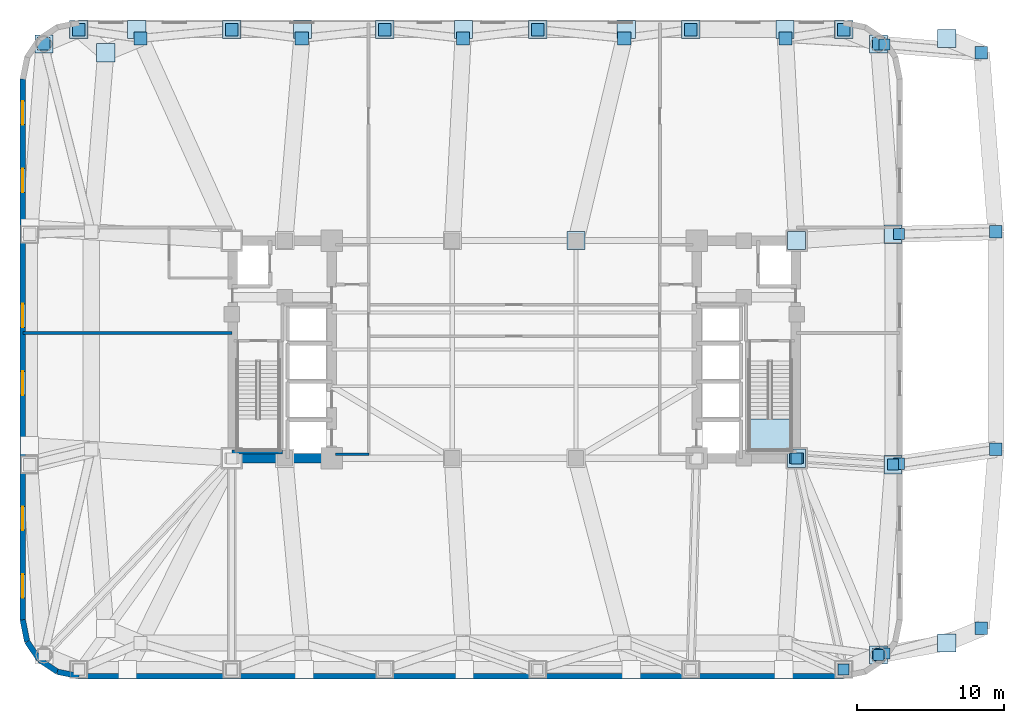
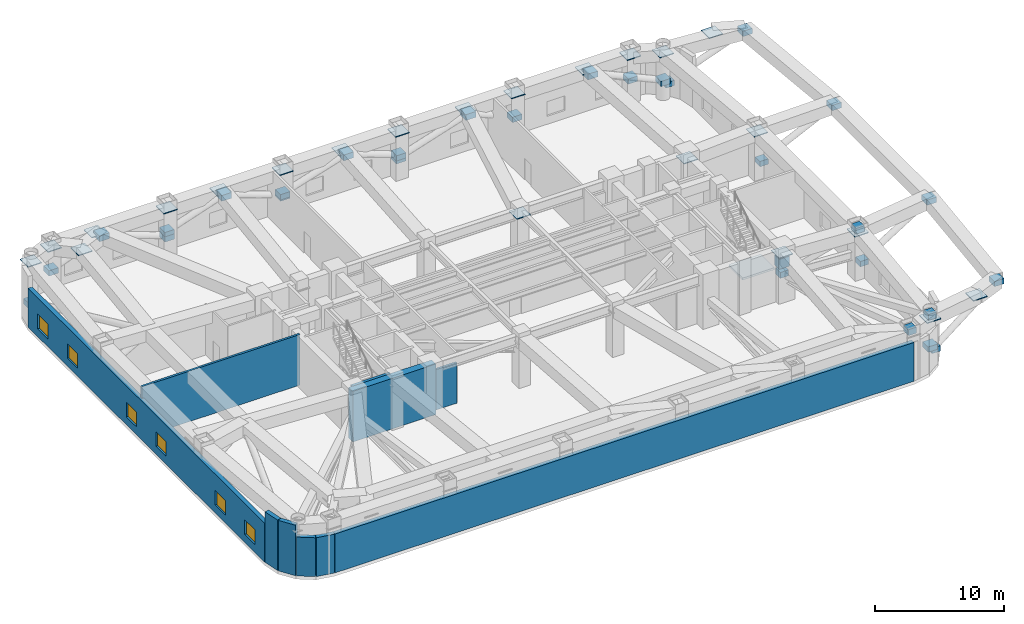
# One storey, part 4 of 9: 52 plates, 10 walls, 6 windows, 1 slab, 6 openings, 1 element without a shape of its own.
"""IFC4 building model written with IfcOpenShell, lengths in metres."""

from ifc_helpers import new_model, si_unit, direction, frame, frame_2d, origin, origin_2d, place, context, subcontext, project, spatial, polyline, rectangle, outline, extrude, material, layer, layer_set, type_object, element, fill, aggregate, save


model = new_model("IFC4")

# Units and contexts
model_context = context("Model", 3, precision=1e-05, world=origin(), true_north=direction((0.0, 1.0)))
body_context = subcontext(model_context, "Body", "Model", "MODEL_VIEW")
ifc_project = project(units=[si_unit("LENGTHUNIT", "METRE"), si_unit("AREAUNIT", "SQUARE_METRE"), si_unit("VOLUMEUNIT", "CUBIC_METRE"), si_unit("PLANEANGLEUNIT", "RADIAN"), si_unit("MASSUNIT", "GRAM", prefix="KILO")], contexts=[model_context])

# Site, building, storey
site_placement = place(None, origin())
site = spatial("IfcSite", under=ifc_project, at=site_placement, CompositionType="ELEMENT")
building_placement = place(site_placement, origin())
building = spatial("IfcBuilding", under=site, at=building_placement, Name="Voryun Gate Residences", CompositionType="ELEMENT")
storey_placement = place(building_placement, frame((0.0, 0.0, 80.60009765625)))
storey = spatial("IfcBuildingStorey", under=building, at=storey_placement, Name="L19", CompositionType="ELEMENT", Elevation=80.60009765625)

# Plates
ifc_material_1 = material(Name="Steel SM355", Category="steel")
ifc_layer_1 = layer(ifc_material_1, 0.02490234375, Name="PLT_END_CAP_25")
ifc_layer_set_1 = layer_set([ifc_layer_1], Name="Steel SM355")
plate_type_1 = type_object("IfcPlateType", Name="PLT_END_CAP_25", PredefinedType="USERDEFINED", material=ifc_layer_set_1)
for number, where, z_axis, x_axis, name in (
    (1, (24.768798828125, -20.768798828125, 4.2099609375), (0.0, 0.0, 1.0), (1.0, 0.0, 0.0), "L19 Hollow Member End-Cap Plate EC-211"),
    (2, (25.75, -7.830078125, 4.2099609375), (0.0, 0.0, 1.0), (1.0, 0.0, 0.0), "L19 Hollow Member End-Cap Plate EC-212"),
    (3, (25.75, 7.830078125, 4.2099609375), (0.0, 0.0, 1.0), (1.0, 0.0, 0.0), "L19 Hollow Member End-Cap Plate EC-213"),
    (4, (24.768798828125, 20.768798828125, 4.2099609375), (0.0, 0.0, 1.0), (1.0, 0.0, 0.0), "L19 Hollow Member End-Cap Plate EC-214"),
    (5, (22.39990234375, 21.75, 4.2099609375), (0.0, 0.0, 1.0), (1.0, 0.0, 0.0), "L19 Hollow Member End-Cap Plate EC-215"),
    (6, (12.0, 21.75, 4.2099609375), (0.0, 0.0, 1.0), (1.0, 0.0, 0.0), "L19 Hollow Member End-Cap Plate EC-216"),
    (7, (1.60009765625, 21.75, 4.2099609375), (0.0, 0.0, 1.0), (1.0, 0.0, 0.0), "L19 Hollow Member End-Cap Plate EC-217"),
    (8, (-8.800048828125, 21.75, 4.2099609375), (0.0, 0.0, 1.0), (1.0, 0.0, 0.0), "L19 Hollow Member End-Cap Plate EC-218"),
    (9, (-19.199951171875, 21.75, 4.2099609375), (0.0, 0.0, 1.0), (1.0, 0.0, 0.0), "L19 Hollow Member End-Cap Plate EC-219"),
    (10, (-29.60009765625, 21.75, 4.2099609375), (0.0, 0.0, 1.0), (1.0, 0.0, 0.0), "L19 Hollow Member End-Cap Plate EC-220"),
    (11, (-31.96875, 20.768798828125, 4.2099609375), (0.0, 0.0, 1.0), (1.0, 0.0, 0.0), "L19 Hollow Member End-Cap Plate EC-221"),
    (12, (19.199951171875, -7.39990234375, 4.2099609375), (0.0, 0.0, 1.0), (1.0, 0.0, 0.0), "L19 Hollow Member End-Cap Plate EC-233"),
    (13, (29.39990234375, -19.949951171875, 4.2099609375), (0.0, 0.0, 1.0), (1.0, 0.0, 0.0), "L19 Hollow Member End-Cap Plate EC-235"),
    (14, (19.199951171875, 7.39990234375, 4.2099609375), (0.0, 0.0, 1.0), (1.0, 0.0, 0.0), "L19 Hollow Member End-Cap Plate EC-236"),
    (15, (18.40673828125, 21.75, 4.2099609375), (0.0, 0.0, 1.0), (1.0, 0.0, 0.0), "L19 Hollow Member End-Cap Plate EC-237"),
    (16, (4.199951171875, 7.39990234375, 4.2099609375), (0.0, 0.0, 1.0), (1.0, 0.0, 0.0), "L19 Hollow Member End-Cap Plate EC-238"),
    (17, (7.623046875, 21.75, 4.2099609375), (0.0, 0.0, 1.0), (1.0, 0.0, 0.0), "L19 Hollow Member End-Cap Plate EC-239"),
    (18, (-3.448486328125, 21.75, 4.2099609375), (0.0, 0.0, 1.0), (1.0, 0.0, 0.0), "L19 Hollow Member End-Cap Plate EC-241"),
    (19, (-14.389404296875, 21.75, 4.2099609375), (0.0, 0.0, 1.0), (1.0, 0.0, 0.0), "L19 Hollow Member End-Cap Plate EC-243"),
    (20, (-25.67041015625, 21.75, 4.2099609375), (0.0, 0.0, 1.0), (1.0, 0.0, 0.0), "L19 Hollow Member End-Cap Plate EC-245"),
    (21, (-27.768798828125, 20.168701171875, 4.2099609375), (0.0, 0.0, 1.0), (1.0, 0.0, 0.0), "L19 Hollow Member End-Cap Plate EC-246"),
    (22, (29.39990234375, 21.14990234375, 4.2099609375), (0.0, 0.0, 1.0), (1.0, 0.0, 0.0), "L19 Hollow Member End-Cap Plate EC-249"),
):
    element("IfcPlate", number, at=place(storey_placement, frame(where, z_axis=z_axis, x_axis=x_axis)), inside=storey, type_object=plate_type_1, Name=name, ObjectType="BASE_PLATE", PredefinedType="USERDEFINED", context=body_context, shape_type="SweptSolid", body=[
        extrude(rectangle(XDim=1.239990234375, YDim=1.239990234375, at=origin_2d()), origin(), (0.0, 0.0, 1.0), 0.080078125),
    ])
for number, where, z_axis, x_axis, name in (
    (23, (19.199951171875, -7.39990234375, 2.119873046875), (0.0, 0.0, 1.0), (1.0, 0.0, 0.0), "L19 Brace Node Connection Plate BN-258"),
    (24, (24.768798828125, -20.768798828125, 4.269775390625), (0.0, 0.0, 1.0), (1.0, 0.0, 0.0), "L19 Brace Node Connection Plate BN-260"),
):
    element("IfcPlate", number, at=place(storey_placement, frame(where, z_axis=z_axis, x_axis=x_axis)), inside=storey, type_object=plate_type_1, Name=name, ObjectType="BASE_PLATE", PredefinedType="USERDEFINED", context=body_context, shape_type="SweptSolid", body=[
        extrude(rectangle(XDim=0.739990234375, YDim=0.739990234375, at=origin_2d()), origin(), (0.0, 0.0, 1.0), 0.56005859375),
    ])
ifc_material_2 = material(Name="Steel SM420", Category="steel")
ifc_layer_2 = layer(ifc_material_2, 0.035888671875, Name="PLT_OUTRIGGER_GUSSET_36")
ifc_layer_set_2 = layer_set([ifc_layer_2], Name="Steel SM420")
plate_type_2 = type_object("IfcPlateType", Name="PLT_OUTRIGGER_GUSSET_36", PredefinedType="USERDEFINED", material=ifc_layer_set_2)
plate_1_placement = place(storey_placement, frame((19.199951171875, -7.39990234375, 3.0), z_axis=(0.0, 0.0, 1.0), x_axis=(1.0, 0.0, 0.0)))
element("IfcPlate", 25, at=plate_1_placement, inside=storey, type_object=plate_type_2, Name="L19 Outrigger Gusset Plate ON-S6", ObjectType="GUSSET_PLATE", PredefinedType="USERDEFINED", context=body_context, shape_type="SweptSolid", body=[
    extrude(rectangle(XDim=0.949951171875, YDim=0.719970703125, at=origin_2d()), origin(), (0.0, 0.0, 1.0), 0.949951171875),
])
for number, where, z_axis, x_axis, name in (
    (26, (22.39990234375, -21.75, 4.269775390625), (0.0, 0.0, 1.0), (1.0, 0.0, 0.0), "L19 Brace Node Connection Plate BN-259"),
    (27, (25.75, -7.830078125, 4.269775390625), (0.0, 0.0, 1.0), (1.0, 0.0, 0.0), "L19 Brace Node Connection Plate BN-261"),
):
    element("IfcPlate", number, at=place(storey_placement, frame(where, z_axis=z_axis, x_axis=x_axis)), inside=storey, type_object=plate_type_2, Name=name, ObjectType="GUSSET_PLATE", PredefinedType="USERDEFINED", context=body_context, shape_type="SweptSolid", body=[
        extrude(rectangle(XDim=0.739990234375, YDim=0.739990234375, at=origin_2d()), origin(), (0.0, 0.0, 1.0), 0.56005859375),
    ])
ifc_material_3 = material(Name="Steel SM420", Category="steel")
ifc_layer_3 = layer(ifc_material_3, 0.031982421875, Name="PLT_SPLICE_PLATE_32")
ifc_layer_set_3 = layer_set([ifc_layer_3], Name="Steel SM420")
plate_type_3 = type_object("IfcPlateType", Name="PLT_SPLICE_PLATE_32", PredefinedType="USERDEFINED", material=ifc_layer_set_3)
plate_2_placement = place(storey_placement, frame((24.768798828125, -20.768798828125, 1.31982421875), z_axis=(0.0, 0.0, 1.0), x_axis=(1.0, 0.0, 0.0)))
element("IfcPlate", 28, at=plate_2_placement, inside=storey, type_object=plate_type_3, Name="L19 Setback V-Strut Gusset VS-S5-2", ObjectType="SPLICE_PLATE", PredefinedType="USERDEFINED", context=body_context, shape_type="SweptSolid", body=[
    extrude(rectangle(XDim=0.85009765625, YDim=0.85009765625, at=origin_2d()), origin(), (0.0, 0.0, 1.0), 0.5),
])
plate_3_placement = place(storey_placement, frame((25.175537109375, -20.664306640625, 0.9365234375), z_axis=(0.0, 0.0, 1.0), x_axis=(1.0, 0.0, 0.0)))
element("IfcPlate", 29, at=plate_3_placement, inside=storey, type_object=plate_type_3, Name="L19 Cantilever Strut Base Gusset BS-CSE", ObjectType="SPLICE_PLATE", PredefinedType="USERDEFINED", context=body_context, shape_type="SweptSolid", body=[
    extrude(rectangle(XDim=0.75, YDim=0.75, at=origin_2d()), origin(), (0.0, 0.0, 1.0), 0.5),
])
plate_4_placement = place(storey_placement, frame((31.768798828125, -18.96875, 4.0), z_axis=(0.0, 0.0, 1.0), x_axis=(1.0, 0.0, 0.0)))
element("IfcPlate", 30, at=plate_4_placement, inside=storey, type_object=plate_type_3, Name="L19 Transfer Kink Splice Plate KN-CSE", ObjectType="SPLICE_PLATE", PredefinedType="USERDEFINED", context=body_context, shape_type="SweptSolid", body=[
    extrude(rectangle(XDim=0.85009765625, YDim=0.85009765625, at=origin_2d()), origin(), (0.0, 0.0, 1.0), 0.5),
])
plate_5_placement = place(storey_placement, frame((26.16552734375, -7.768798828125, 1.0048828125), z_axis=(0.0, 0.0, 1.0), x_axis=(1.0, 0.0, 0.0)))
element("IfcPlate", 31, at=plate_5_placement, inside=storey, type_object=plate_type_3, Name="L19 Cantilever Strut Base Gusset BS-E1", ObjectType="SPLICE_PLATE", PredefinedType="USERDEFINED", context=body_context, shape_type="SweptSolid", body=[
    extrude(rectangle(XDim=0.75, YDim=0.75, at=origin_2d()), origin(), (0.0, 0.0, 1.0), 0.5),
])
plate_6_placement = place(storey_placement, frame((32.75, -6.798095703125, 4.0), z_axis=(0.0, 0.0, 1.0), x_axis=(1.0, 0.0, 0.0)))
element("IfcPlate", 32, at=plate_6_placement, inside=storey, type_object=plate_type_3, Name="L19 Transfer Kink Splice Plate KN-E1", ObjectType="SPLICE_PLATE", PredefinedType="USERDEFINED", context=body_context, shape_type="SweptSolid", body=[
    extrude(rectangle(XDim=0.85009765625, YDim=0.85009765625, at=origin_2d()), origin(), (0.0, 0.0, 1.0), 0.5),
])
plate_7_placement = place(storey_placement, frame((26.169921875, 7.840087890625, 1.0380859375), z_axis=(0.0, 0.0, 1.0), x_axis=(1.0, 0.0, 0.0)))
element("IfcPlate", 33, at=plate_7_placement, inside=storey, type_object=plate_type_3, Name="L19 Cantilever Strut Base Gusset BS-E2", ObjectType="SPLICE_PLATE", PredefinedType="USERDEFINED", context=body_context, shape_type="SweptSolid", body=[
    extrude(rectangle(XDim=0.75, YDim=0.75, at=origin_2d()), origin(), (0.0, 0.0, 1.0), 0.5),
])
plate_8_placement = place(storey_placement, frame((32.75, 7.998046875, 4.0), z_axis=(0.0, 0.0, 1.0), x_axis=(1.0, 0.0, 0.0)))
element("IfcPlate", 34, at=plate_8_placement, inside=storey, type_object=plate_type_3, Name="L19 Transfer Kink Splice Plate KN-E2", ObjectType="SPLICE_PLATE", PredefinedType="USERDEFINED", context=body_context, shape_type="SweptSolid", body=[
    extrude(rectangle(XDim=0.85009765625, YDim=0.85009765625, at=origin_2d()), origin(), (0.0, 0.0, 1.0), 0.5),
])
plate_9_placement = place(storey_placement, frame((25.187255859375, 20.73291015625, 1.02734375), z_axis=(0.0, 0.0, 1.0), x_axis=(1.0, 0.0, 0.0)))
element("IfcPlate", 35, at=plate_9_placement, inside=storey, type_object=plate_type_3, Name="L19 Cantilever Strut Base Gusset BS-CNE", ObjectType="SPLICE_PLATE", PredefinedType="USERDEFINED", context=body_context, shape_type="SweptSolid", body=[
    extrude(rectangle(XDim=0.75, YDim=0.75, at=origin_2d()), origin(), (0.0, 0.0, 1.0), 0.5),
])
for number, where, z_axis, x_axis, name in (
    (36, (31.768798828125, 20.168701171875, 4.0), (0.0, 0.0, 1.0), (1.0, 0.0, 0.0), "L19 Transfer Kink Splice Plate KN-CNE"),
    (37, (22.39990234375, 21.75, 1.7998046875), (0.0, 0.0, 1.0), (1.0, 0.0, 0.0), "L19 Setback V-Strut Gusset VS-N2-1"),
    (38, (24.768798828125, 20.768798828125, 1.3369140625), (0.0, 0.0, 1.0), (1.0, 0.0, 0.0), "L19 Setback V-Strut Gusset VS-N2-2"),
):
    element("IfcPlate", number, at=place(storey_placement, frame(where, z_axis=z_axis, x_axis=x_axis)), inside=storey, type_object=plate_type_3, Name=name, ObjectType="SPLICE_PLATE", PredefinedType="USERDEFINED", context=body_context, shape_type="SweptSolid", body=[
        extrude(rectangle(XDim=0.85009765625, YDim=0.85009765625, at=origin_2d()), origin(), (0.0, 0.0, 1.0), 0.5),
    ])
plate_10_placement = place(storey_placement, frame((18.43994140625, 21.14990234375, 3.97509765625), z_axis=(0.0, 0.0, 1.0), x_axis=(1.0, 0.0, 0.0)))
element("IfcPlate", 39, at=plate_10_placement, inside=storey, type_object=plate_type_3, Name="L19 Setback V-Strut Apex Plate VT-N2", ObjectType="SPLICE_PLATE", PredefinedType="USERDEFINED", context=body_context, shape_type="SweptSolid", body=[
    extrude(rectangle(XDim=0.89990234375, YDim=0.89990234375, at=origin_2d()), origin(), (0.0, 0.0, 1.0), 0.550048828125),
])
for number, where, z_axis, x_axis, name in (
    (40, (12.0, 21.75, 1.7998046875), (0.0, 0.0, 1.0), (1.0, 0.0, 0.0), "L19 Setback V-Strut Gusset VS-N3-1"),
    (41, (1.60009765625, 21.75, 1.517578125), (0.0, 0.0, 1.0), (1.0, 0.0, 0.0), "L19 Setback V-Strut Gusset VS-N3-2"),
):
    element("IfcPlate", number, at=place(storey_placement, frame(where, z_axis=z_axis, x_axis=x_axis)), inside=storey, type_object=plate_type_3, Name=name, ObjectType="SPLICE_PLATE", PredefinedType="USERDEFINED", context=body_context, shape_type="SweptSolid", body=[
        extrude(rectangle(XDim=0.85009765625, YDim=0.85009765625, at=origin_2d()), origin(), (0.0, 0.0, 1.0), 0.5),
    ])
plate_11_placement = place(storey_placement, frame((7.47998046875, 21.14990234375, 3.97509765625), z_axis=(0.0, 0.0, 1.0), x_axis=(1.0, 0.0, 0.0)))
element("IfcPlate", 42, at=plate_11_placement, inside=storey, type_object=plate_type_3, Name="L19 Setback V-Strut Apex Plate VT-N3", ObjectType="SPLICE_PLATE", PredefinedType="USERDEFINED", context=body_context, shape_type="SweptSolid", body=[
    extrude(rectangle(XDim=0.89990234375, YDim=0.89990234375, at=origin_2d()), origin(), (0.0, 0.0, 1.0), 0.550048828125),
])
for number, where, z_axis, x_axis, name in (
    (43, (1.60009765625, 21.75, 1.7998046875), (0.0, 0.0, 1.0), (1.0, 0.0, 0.0), "L19 Setback V-Strut Gusset VS-N4-1"),
    (44, (-8.800048828125, 21.75, 1.751220703125), (0.0, 0.0, 1.0), (1.0, 0.0, 0.0), "L19 Setback V-Strut Gusset VS-N4-2"),
):
    element("IfcPlate", number, at=place(storey_placement, frame(where, z_axis=z_axis, x_axis=x_axis)), inside=storey, type_object=plate_type_3, Name=name, ObjectType="SPLICE_PLATE", PredefinedType="USERDEFINED", context=body_context, shape_type="SweptSolid", body=[
        extrude(rectangle(XDim=0.85009765625, YDim=0.85009765625, at=origin_2d()), origin(), (0.0, 0.0, 1.0), 0.5),
    ])
plate_12_placement = place(storey_placement, frame((-3.47998046875, 21.14990234375, 3.97509765625), z_axis=(0.0, 0.0, 1.0), x_axis=(1.0, 0.0, 0.0)))
element("IfcPlate", 45, at=plate_12_placement, inside=storey, type_object=plate_type_3, Name="L19 Setback V-Strut Apex Plate VT-N4", ObjectType="SPLICE_PLATE", PredefinedType="USERDEFINED", context=body_context, shape_type="SweptSolid", body=[
    extrude(rectangle(XDim=0.89990234375, YDim=0.89990234375, at=origin_2d()), origin(), (0.0, 0.0, 1.0), 0.550048828125),
])
for number, where, z_axis, x_axis, name in (
    (46, (-19.199951171875, 21.75, 1.7998046875), (0.0, 0.0, 1.0), (1.0, 0.0, 0.0), "L19 Setback V-Strut Gusset VS-N5-1"),
    (47, (-8.800048828125, 21.75, 1.61767578125), (0.0, 0.0, 1.0), (1.0, 0.0, 0.0), "L19 Setback V-Strut Gusset VS-N5-2"),
):
    element("IfcPlate", number, at=place(storey_placement, frame(where, z_axis=z_axis, x_axis=x_axis)), inside=storey, type_object=plate_type_3, Name=name, ObjectType="SPLICE_PLATE", PredefinedType="USERDEFINED", context=body_context, shape_type="SweptSolid", body=[
        extrude(rectangle(XDim=0.85009765625, YDim=0.85009765625, at=origin_2d()), origin(), (0.0, 0.0, 1.0), 0.5),
    ])
plate_13_placement = place(storey_placement, frame((-14.43994140625, 21.14990234375, 3.97509765625), z_axis=(0.0, 0.0, 1.0), x_axis=(1.0, 0.0, 0.0)))
element("IfcPlate", 48, at=plate_13_placement, inside=storey, type_object=plate_type_3, Name="L19 Setback V-Strut Apex Plate VT-N5", ObjectType="SPLICE_PLATE", PredefinedType="USERDEFINED", context=body_context, shape_type="SweptSolid", body=[
    extrude(rectangle(XDim=0.89990234375, YDim=0.89990234375, at=origin_2d()), origin(), (0.0, 0.0, 1.0), 0.550048828125),
])
for number, where, z_axis, x_axis, name in (
    (49, (-29.60009765625, 21.75, 1.7998046875), (0.0, 0.0, 1.0), (1.0, 0.0, 0.0), "L19 Setback V-Strut Gusset VS-N6-1"),
    (50, (-19.199951171875, 21.75, 1.3837890625), (0.0, 0.0, 1.0), (1.0, 0.0, 0.0), "L19 Setback V-Strut Gusset VS-N6-2"),
):
    element("IfcPlate", number, at=place(storey_placement, frame(where, z_axis=z_axis, x_axis=x_axis)), inside=storey, type_object=plate_type_3, Name=name, ObjectType="SPLICE_PLATE", PredefinedType="USERDEFINED", context=body_context, shape_type="SweptSolid", body=[
        extrude(rectangle(XDim=0.85009765625, YDim=0.85009765625, at=origin_2d()), origin(), (0.0, 0.0, 1.0), 0.5),
    ])
plate_14_placement = place(storey_placement, frame((-25.39990234375, 21.14990234375, 3.97509765625), z_axis=(0.0, 0.0, 1.0), x_axis=(1.0, 0.0, 0.0)))
element("IfcPlate", 51, at=plate_14_placement, inside=storey, type_object=plate_type_3, Name="L19 Setback V-Strut Apex Plate VT-N6", ObjectType="SPLICE_PLATE", PredefinedType="USERDEFINED", context=body_context, shape_type="SweptSolid", body=[
    extrude(rectangle(XDim=0.89990234375, YDim=0.89990234375, at=origin_2d()), origin(), (0.0, 0.0, 1.0), 0.550048828125),
])
plate_15_placement = place(storey_placement, frame((-31.96875, 20.768798828125, 0.099853515625), z_axis=(0.0, 0.0, 1.0), x_axis=(1.0, 0.0, 0.0)))
element("IfcPlate", 52, at=plate_15_placement, inside=storey, type_object=plate_type_3, Name="L19 Setback V-Strut Gusset VS-W1-2", ObjectType="SPLICE_PLATE", PredefinedType="USERDEFINED", context=body_context, shape_type="SweptSolid", body=[
    extrude(rectangle(XDim=0.85009765625, YDim=0.85009765625, at=origin_2d()), origin(), (0.0, 0.0, 1.0), 0.5),
])

# Stair, slab
ifc_material_4 = material(Name="Concrete C40/50", Category="concrete")
stair_type = type_object("IfcStairType", Name="STR_CORE_DOGLEG_1350", PredefinedType="HALF_TURN_STAIR", material=ifc_material_4)
stair_placement = place(storey_placement, origin())
stair = element("IfcStair", 53, at=stair_placement, inside=storey, type_object=stair_type, Name="L19 Special Escape Stair ST-E1", PredefinedType="HALF_TURN_STAIR")
ifc_material_5 = material(Name="Concrete C40/50", Category="concrete")
ifc_layer_4 = layer(ifc_material_5, 0.199951171875, Name="SLB_STAIR_LANDING_200")
ifc_layer_set_4 = layer_set([ifc_layer_4], Name="Concrete C40/50")
slab_type = type_object("IfcSlabType", Name="SLB_STAIR_LANDING_200", PredefinedType="LANDING", material=ifc_layer_set_4)
slab_placement = place(storey_placement, frame((0.0, 0.0, 2.39990234375)))
slab = element("IfcSlab", 54, at=slab_placement, type_object=slab_type, Name="ST-E1 landing 1", PredefinedType="LANDING", context=body_context, shape_type="SweptSolid", body=[
    extrude(outline(polyline([(15.97509765625, -4.719970703125), (15.97509765625, -6.85009765625), (18.824951171875, -6.85009765625), (18.824951171875, -4.719970703125), (15.97509765625, -4.719970703125)])), origin(), (0.0, 0.0, 1.0), 0.199951171875),
])
aggregate(stair, [slab])

# Walls
ifc_material_6 = material(Name="Concrete C60/75", Category="concrete")
ifc_layer_5 = layer(ifc_material_6, 0.64990234375, Name="CW_CORE_650")
ifc_layer_set_5 = layer_set([ifc_layer_5], Name="Concrete C60/75")
wall_type_1 = type_object("IfcWallType", Name="CW_CORE_650", PredefinedType="SHEAR", material=ifc_layer_set_5)
wall_1_placement = place(storey_placement, frame((-19.52490234375, -7.39990234375, 0.0), z_axis=(0.0, 0.0, 1.0), x_axis=(1.0, 0.0, 0.0)))
element("IfcWall", 55, at=wall_1_placement, inside=storey, type_object=wall_type_1, Name="L19 Core shear wall CW-L19-WS", PredefinedType="SHEAR", context=body_context, shape_type="SweptSolid", body=[
    extrude(rectangle(XDim=7.449951171875, YDim=0.64990234375, at=frame_2d((3.72509765625, 0.0))), origin(), (0.0, 0.0, 1.0), 4.7998046875),
])
ifc_material_7 = material(Name="Gypsum acoustic fireboard")
ifc_layer_6 = layer(ifc_material_7, 0.179931640625, Name="W_CORR_RATED_180")
ifc_layer_set_6 = layer_set([ifc_layer_6], Name="Gypsum acoustic fireboard")
wall_type_2 = type_object("IfcWallType", Name="W_CORR_RATED_180", PredefinedType="PARTITIONING", material=ifc_layer_set_6)
wall_2_placement = place(storey_placement, frame((-12.14990234375, -7.1201171875, 0.0), z_axis=(0.0, 0.0, 1.0), x_axis=(1.0, 0.0, 0.0)))
element("IfcWall", 56, at=wall_2_placement, inside=storey, type_object=wall_type_2, Name="Partition wall WP-L19-PLBS-W", PredefinedType="PARTITIONING", context=body_context, shape_type="SweptSolid", body=[
    extrude(rectangle(XDim=2.27001953125, YDim=0.179931640625, at=frame_2d((1.135009765625, 0.0))), origin(), (0.0, 0.0, 1.0), 3.83984375),
])
ifc_material_8 = material(Name="Granite masonry", Category="masonry")
ifc_layer_7 = layer(ifc_material_8, 0.3798828125, Name="W_EXT_GRANITE_380")
ifc_layer_set_7 = layer_set([ifc_layer_7], Name="Granite masonry")
wall_type_3 = type_object("IfcWallType", Name="W_EXT_GRANITE_380", PredefinedType="ELEMENTEDWALL", material=ifc_layer_set_7)
wall_3_placement = place(storey_placement, frame((22.38134765625, -22.2099609375, 0.0), z_axis=(0.0, 0.0, 1.0), x_axis=(-1.0, 0.0, 0.0)))
element("IfcWall", 57, at=wall_3_placement, inside=storey, type_object=wall_type_3, Name="Exterior wall WEXT-L19-01", PredefinedType="ELEMENTEDWALL", context=body_context, shape_type="SweptSolid", body=[
    extrude(rectangle(XDim=51.962646484375, YDim=0.3798828125, at=frame_2d((25.9814453125, 0.0))), origin(), (0.0, 0.0, 1.0), 3.68994140625),
])
wall_4_placement = place(storey_placement, frame((-29.581298828125, -22.2099609375, 0.0), z_axis=(0.0, 0.0, 1.0), x_axis=(-0.980786132421, 0.195086038585, 0.0)))
element("IfcWall", 58, at=wall_4_placement, inside=storey, type_object=wall_type_3, Name="Exterior wall WEXT-L19-02", PredefinedType="ELEMENTEDWALL", context=body_context, shape_type="SweptSolid", body=[
    extrude(rectangle(XDim=1.504150390625, YDim=0.3798828125, at=frame_2d((0.751953125, 0.0))), origin(), (0.0, 0.0, 1.0), 3.68994140625),
])
wall_5_placement = place(storey_placement, frame((-31.056640625, -21.91650390625, 0.0), z_axis=(0.0, 0.0, 1.0), x_axis=(-0.831442848281, 0.555610286119, 0.0)))
element("IfcWall", 59, at=wall_5_placement, inside=storey, type_object=wall_type_3, Name="Exterior wall WEXT-L19-03", PredefinedType="ELEMENTEDWALL", context=body_context, shape_type="SweptSolid", body=[
    extrude(rectangle(XDim=1.485107421875, YDim=0.3798828125, at=frame_2d((0.74267578125, 0.0))), origin(), (0.0, 0.0, 1.0), 3.68994140625),
])
wall_6_placement = place(storey_placement, frame((-32.29150390625, -21.09130859375, 0.0), z_axis=(0.0, 0.0, 1.0), x_axis=(-0.555572577804, 0.831468045563, 0.0)))
element("IfcWall", 60, at=wall_6_placement, inside=storey, type_object=wall_type_3, Name="Exterior wall WEXT-L19-04", PredefinedType="ELEMENTEDWALL", context=body_context, shape_type="SweptSolid", body=[
    extrude(rectangle(XDim=1.48486328125, YDim=0.3798828125, at=frame_2d((0.742431640625, 0.0))), origin(), (0.0, 0.0, 1.0), 4.7998046875),
])
wall_7_placement = place(storey_placement, frame((-33.116455078125, -19.856689453125, 0.0), z_axis=(0.0, 0.0, 1.0), x_axis=(-0.195086038585, 0.980786132421, 0.0)))
element("IfcWall", 61, at=wall_7_placement, inside=storey, type_object=wall_type_3, Name="Exterior wall WEXT-L19-05", PredefinedType="ELEMENTEDWALL", context=body_context, shape_type="SweptSolid", body=[
    extrude(rectangle(XDim=1.504150390625, YDim=0.3798828125, at=frame_2d((0.751953125, 0.0))), origin(), (0.0, 0.0, 1.0), 4.7998046875),
])

# Wall, openings, windows
wall_8_placement = place(storey_placement, frame((-33.409912109375, -18.38134765625, 0.0), z_axis=(0.0, 0.0, 1.0), x_axis=(0.0, 1.0, 0.0)))
wall_8 = element("IfcWall", 62, at=wall_8_placement, inside=storey, type_object=wall_type_3, Name="Exterior wall WEXT-L19-06", PredefinedType="ELEMENTEDWALL", context=body_context, shape_type="SweptSolid", body=[
    extrude(rectangle(XDim=36.7626953125, YDim=0.3798828125, at=frame_2d((18.38134765625, 0.0))), origin(), (0.0, 0.0, 1.0), 3.68994140625),
])
opening_1_placement = place(wall_8_placement, frame((1.497802734375, 0.0, 0.75)))
opening_1 = element("IfcOpeningElement", 63, at=opening_1_placement, cuts=wall_8, Name="Opening WN8", PredefinedType="OPENING", context=body_context, shape_type="SweptSolid", body=[
    extrude(rectangle(XDim=1.60009765625, YDim=1.39990234375, at=frame_2d((0.800048828125, 0.699951171875))), frame((0.0, 0.199951171875, 0.0), z_axis=(0.0, -1.0, 0.0), x_axis=(1.0, 0.0, 0.0)), (0.0, 0.0, 1.0), 0.39990234375),
])
opening_2_placement = place(wall_8_placement, frame((6.093017578125, 0.0, 0.75)))
opening_2 = element("IfcOpeningElement", 64, at=opening_2_placement, cuts=wall_8, Name="Opening WN8", PredefinedType="OPENING", context=body_context, shape_type="SweptSolid", body=[
    extrude(rectangle(XDim=1.60009765625, YDim=1.39990234375, at=frame_2d((0.800048828125, 0.699951171875))), frame((0.0, 0.199951171875, 0.0), z_axis=(0.0, -1.0, 0.0), x_axis=(1.0, 0.0, 0.0)), (0.0, 0.0, 1.0), 0.39990234375),
])
opening_3_placement = place(wall_8_placement, frame((15.28369140625, 0.0, 0.75)))
opening_3 = element("IfcOpeningElement", 65, at=opening_3_placement, cuts=wall_8, Name="Opening WN8", PredefinedType="OPENING", context=body_context, shape_type="SweptSolid", body=[
    extrude(rectangle(XDim=1.60009765625, YDim=1.39990234375, at=frame_2d((0.800048828125, 0.699951171875))), frame((0.0, 0.199951171875, 0.0), z_axis=(0.0, -1.0, 0.0), x_axis=(1.0, 0.0, 0.0)), (0.0, 0.0, 1.0), 0.39990234375),
])
opening_4_placement = place(wall_8_placement, frame((19.87890625, 0.0, 0.75)))
opening_4 = element("IfcOpeningElement", 66, at=opening_4_placement, cuts=wall_8, Name="Opening WN8", PredefinedType="OPENING", context=body_context, shape_type="SweptSolid", body=[
    extrude(rectangle(XDim=1.60009765625, YDim=1.39990234375, at=frame_2d((0.800048828125, 0.699951171875))), frame((0.0, 0.199951171875, 0.0), z_axis=(0.0, -1.0, 0.0), x_axis=(1.0, 0.0, 0.0)), (0.0, 0.0, 1.0), 0.39990234375),
])
opening_5_placement = place(wall_8_placement, frame((29.069580078125, 0.0, 0.75)))
opening_5 = element("IfcOpeningElement", 67, at=opening_5_placement, cuts=wall_8, Name="Opening WN8", PredefinedType="OPENING", context=body_context, shape_type="SweptSolid", body=[
    extrude(rectangle(XDim=1.60009765625, YDim=1.39990234375, at=frame_2d((0.800048828125, 0.699951171875))), frame((0.0, 0.199951171875, 0.0), z_axis=(0.0, -1.0, 0.0), x_axis=(1.0, 0.0, 0.0)), (0.0, 0.0, 1.0), 0.39990234375),
])
opening_6_placement = place(wall_8_placement, frame((33.664794921875, 0.0, 0.75)))
opening_6 = element("IfcOpeningElement", 68, at=opening_6_placement, cuts=wall_8, Name="Opening WN8", PredefinedType="OPENING", context=body_context, shape_type="SweptSolid", body=[
    extrude(rectangle(XDim=1.60009765625, YDim=1.39990234375, at=frame_2d((0.800048828125, 0.699951171875))), frame((0.0, 0.199951171875, 0.0), z_axis=(0.0, -1.0, 0.0), x_axis=(1.0, 0.0, 0.0)), (0.0, 0.0, 1.0), 0.39990234375),
])
ifc_material_9 = material(Name="Anodised aluminium", Category="aluminium")
window_type = type_object("IfcWindowType", Name="WN_REFUGE_LOUVRE_1600", PartitioningType="SINGLE_PANEL", PredefinedType="WINDOW", material=ifc_material_9)
window_1_placement = place(opening_1_placement, origin())
window_1 = element("IfcWindow", 69, at=window_1_placement, inside=storey, type_object=window_type, Name="Window WN-L19-LV-06-01", OverallHeight=1.39990234375, OverallWidth=1.60009765625, PartitioningType="SINGLE_PANEL", PredefinedType="WINDOW", context=body_context, shape_type="SweptSolid", body=[
    extrude(rectangle(XDim=1.60009765625, YDim=1.39990234375, at=frame_2d((0.800048828125, 0.699951171875))), frame((0.0, 0.030029296875, 0.0), z_axis=(0.0, -1.0, 0.0), x_axis=(1.0, 0.0, 0.0)), (0.0, 0.0, 1.0), 0.06005859375),
])
fill(opening_1, window_1)
window_2_placement = place(opening_2_placement, origin())
window_2 = element("IfcWindow", 70, at=window_2_placement, inside=storey, type_object=window_type, Name="Window WN-L19-LV-06-02", OverallHeight=1.39990234375, OverallWidth=1.60009765625, PartitioningType="SINGLE_PANEL", PredefinedType="WINDOW", context=body_context, shape_type="SweptSolid", body=[
    extrude(rectangle(XDim=1.60009765625, YDim=1.39990234375, at=frame_2d((0.800048828125, 0.699951171875))), frame((0.0, 0.030029296875, 0.0), z_axis=(0.0, -1.0, 0.0), x_axis=(1.0, 0.0, 0.0)), (0.0, 0.0, 1.0), 0.06005859375),
])
fill(opening_2, window_2)
window_3_placement = place(opening_3_placement, origin())
window_3 = element("IfcWindow", 71, at=window_3_placement, inside=storey, type_object=window_type, Name="Window WN-L19-LV-06-04", OverallHeight=1.39990234375, OverallWidth=1.60009765625, PartitioningType="SINGLE_PANEL", PredefinedType="WINDOW", context=body_context, shape_type="SweptSolid", body=[
    extrude(rectangle(XDim=1.60009765625, YDim=1.39990234375, at=frame_2d((0.800048828125, 0.699951171875))), frame((0.0, 0.030029296875, 0.0), z_axis=(0.0, -1.0, 0.0), x_axis=(1.0, 0.0, 0.0)), (0.0, 0.0, 1.0), 0.06005859375),
])
fill(opening_3, window_3)
window_4_placement = place(opening_4_placement, origin())
window_4 = element("IfcWindow", 72, at=window_4_placement, inside=storey, type_object=window_type, Name="Window WN-L19-LV-06-05", OverallHeight=1.39990234375, OverallWidth=1.60009765625, PartitioningType="SINGLE_PANEL", PredefinedType="WINDOW", context=body_context, shape_type="SweptSolid", body=[
    extrude(rectangle(XDim=1.60009765625, YDim=1.39990234375, at=frame_2d((0.800048828125, 0.699951171875))), frame((0.0, 0.030029296875, 0.0), z_axis=(0.0, -1.0, 0.0), x_axis=(1.0, 0.0, 0.0)), (0.0, 0.0, 1.0), 0.06005859375),
])
fill(opening_4, window_4)
window_5_placement = place(opening_5_placement, origin())
window_5 = element("IfcWindow", 73, at=window_5_placement, inside=storey, type_object=window_type, Name="Window WN-L19-LV-06-07", OverallHeight=1.39990234375, OverallWidth=1.60009765625, PartitioningType="SINGLE_PANEL", PredefinedType="WINDOW", context=body_context, shape_type="SweptSolid", body=[
    extrude(rectangle(XDim=1.60009765625, YDim=1.39990234375, at=frame_2d((0.800048828125, 0.699951171875))), frame((0.0, 0.030029296875, 0.0), z_axis=(0.0, -1.0, 0.0), x_axis=(1.0, 0.0, 0.0)), (0.0, 0.0, 1.0), 0.06005859375),
])
fill(opening_5, window_5)
window_6_placement = place(opening_6_placement, origin())
window_6 = element("IfcWindow", 74, at=window_6_placement, inside=storey, type_object=window_type, Name="Window WN-L19-LV-06-08", OverallHeight=1.39990234375, OverallWidth=1.60009765625, PartitioningType="SINGLE_PANEL", PredefinedType="WINDOW", context=body_context, shape_type="SweptSolid", body=[
    extrude(rectangle(XDim=1.60009765625, YDim=1.39990234375, at=frame_2d((0.800048828125, 0.699951171875))), frame((0.0, 0.030029296875, 0.0), z_axis=(0.0, -1.0, 0.0), x_axis=(1.0, 0.0, 0.0)), (0.0, 0.0, 1.0), 0.06005859375),
])
fill(opening_6, window_6)

# Walls
ifc_material_10 = material(Name="Concrete C40/50", Category="concrete")
ifc_layer_8 = layer(ifc_material_10, 0.199951171875, Name="W_FF_LOBBY_200")
ifc_layer_set_8 = layer_set([ifc_layer_8], Name="Concrete C40/50")
wall_type_4 = type_object("IfcWallType", Name="W_FF_LOBBY_200", PredefinedType="PARTITIONING", material=ifc_layer_set_8)
wall_9_placement = place(storey_placement, frame((-33.409912109375, 1.1201171875, 0.0), z_axis=(0.0, 0.0, 1.0), x_axis=(1.0, 0.0, 0.0)))
element("IfcWall", 75, at=wall_9_placement, inside=storey, type_object=wall_type_4, Name="Partition wall WP-L19-PWN", PredefinedType="PARTITIONING", context=body_context, shape_type="SweptSolid", body=[
    extrude(rectangle(XDim=14.2099609375, YDim=0.199951171875, at=frame_2d((7.10498046875, 0.0))), origin(), (0.0, 0.0, 1.0), 4.7998046875),
])
ifc_material_11 = material(Name="Concrete C50/60", Category="concrete")
ifc_layer_9 = layer(ifc_material_11, 0.25, Name="W_SHAFT_RC250")
ifc_layer_set_9 = layer_set([ifc_layer_9], Name="Concrete C50/60")
wall_type_5 = type_object("IfcWallType", Name="W_SHAFT_RC250", PredefinedType="SOLIDWALL", material=ifc_layer_set_9)
wall_10_placement = place(storey_placement, frame((-19.199951171875, -6.965087890625, 0.0), z_axis=(0.0, 0.0, 1.0), x_axis=(1.0, 0.0, 0.0)))
element("IfcWall", 76, at=wall_10_placement, inside=storey, type_object=wall_type_5, Name="L19 Stair shaft structural wall W-STS", PredefinedType="SOLIDWALL", context=body_context, shape_type="SweptSolid", body=[
    extrude(rectangle(XDim=3.4599609375, YDim=0.25, at=frame_2d((1.72998046875, 0.0))), origin(), (0.0, 0.0, 1.0), 4.7998046875),
])

save(model, "model.ifc")
